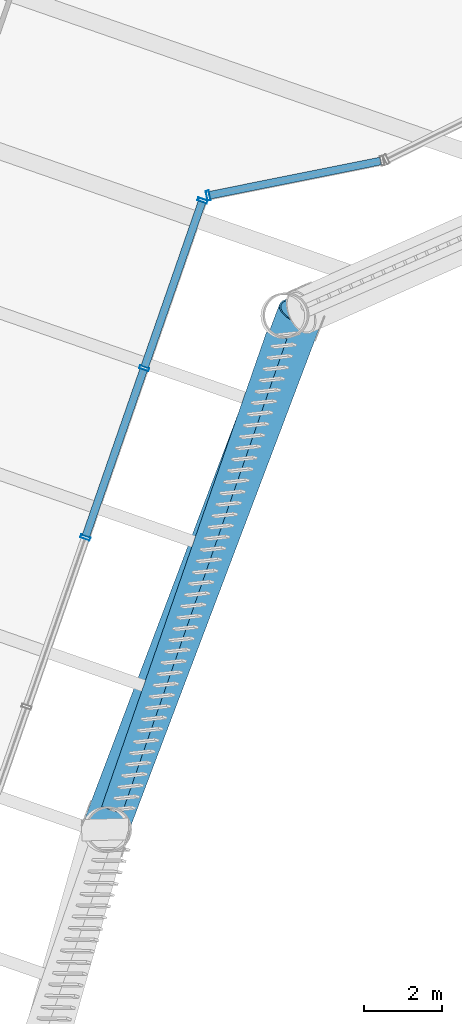
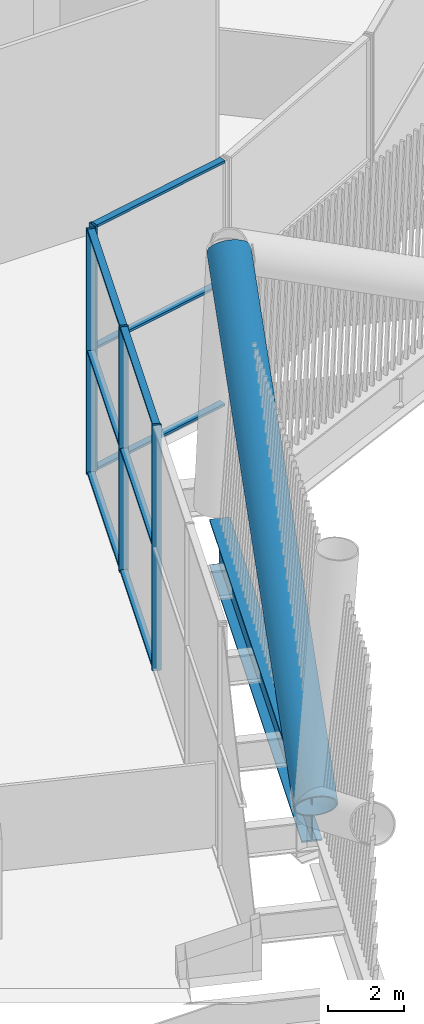
# One storey, part 9 of 63: 14 members, 1 beam, 2 elements without a shape of their own.
"""IFC4 building model written with IfcOpenShell, lengths in metres."""

from ifc_helpers import new_model, si_unit, direction, frame, origin, origin_2d, place, context, subcontext, project, spatial, hollow_rectangle, hollow_circle, i_section, extrude, material, layer, layer_set, material_profile, profile_set, type_object, element, aggregate, save


model = new_model("IFC4")

# Units and contexts
model_context = context("Model", 3, precision=1e-05, world=origin(), true_north=direction((0.0, 1.0)))
body_context = subcontext(model_context, "Body", "Model", "MODEL_VIEW")
ifc_project = project(units=[si_unit("LENGTHUNIT", "METRE"), si_unit("AREAUNIT", "SQUARE_METRE"), si_unit("VOLUMEUNIT", "CUBIC_METRE"), si_unit("PLANEANGLEUNIT", "RADIAN"), si_unit("MASSUNIT", "GRAM", prefix="KILO")], contexts=[model_context])

# Site, building, storey
site_placement = place(None, origin())
site = spatial("IfcSite", under=ifc_project, at=site_placement, CompositionType="ELEMENT")
building_placement = place(site_placement, origin())
building = spatial("IfcBuilding", under=site, at=building_placement, Name="Tarsis Ring Headquarters", CompositionType="ELEMENT")
storey_placement = place(building_placement, frame((0.0, 0.0, 139.60009765625)))
storey = spatial("IfcBuildingStorey", under=building, at=storey_placement, Name="L32", CompositionType="ELEMENT", Elevation=139.60009765625)

# Curtain wall, members
ifc_material_1 = material(Name="Aluminium curtain wall", Category="aluminium")
ifc_layer = layer(ifc_material_1, 0.25)
ifc_layer_set = layer_set([ifc_layer], Name="Curtain wall sky lobby")
curtain_wall_type = type_object("IfcCurtainWallType", Name="Curtain wall sky lobby", PredefinedType="NOTDEFINED", material=ifc_layer_set)
curtain_wall_1_placement = place(storey_placement, origin())
curtain_wall_1 = element("IfcCurtainWall", 1, at=curtain_wall_1_placement, inside=storey, type_object=curtain_wall_type, Name="Curtain wall L32-16", PredefinedType="NOTDEFINED")
ifc_material_2 = material(Name="Aluminium mullion", Category="aluminium")
ifc_material_profile_1 = material_profile(ifc_material_2, hollow_rectangle(XDim=0.25, YDim=0.080078125, WallThickness=0.0048828125, at=origin_2d()), Name="RHS 250x80x5")
ifc_profile_set_1 = profile_set([ifc_material_profile_1], Name="Aluminium mullion")
member_type_1 = type_object("IfcMemberType", Name="Curtain wall mullion sky lobby RHS 250x80x5", PredefinedType="MULLION", material=ifc_profile_set_1)
member_1_placement = place(storey_placement, frame((0.71142578125, -34.133544921875, 0.0), z_axis=(0.0, 0.0, 1.0), x_axis=(-0.944605723576, 0.32820729271, 0.0)))
member_1 = element("IfcMember", 2, at=member_1_placement, type_object=member_type_1, Name="CW-S mullion 4", PredefinedType="MULLION", context=body_context, shape_type="SweptSolid", body=[
    extrude(hollow_rectangle(XDim=0.25, YDim=0.080078125, WallThickness=0.0048828125, at=origin_2d()), origin(), (0.0, 0.0, 1.0), 7.83984375),
])
member_2_placement = place(storey_placement, frame((2.21484375, -29.80712890625, 0.0), z_axis=(0.0, 0.0, 1.0), x_axis=(-0.944605723576, 0.32820729271, 0.0)))
member_2 = element("IfcMember", 3, at=member_2_placement, type_object=member_type_1, Name="CW-S mullion 5", PredefinedType="MULLION", context=body_context, shape_type="SweptSolid", body=[
    extrude(hollow_rectangle(XDim=0.25, YDim=0.080078125, WallThickness=0.0048828125, at=origin_2d()), origin(), (0.0, 0.0, 1.0), 7.83984375),
])
member_3_placement = place(storey_placement, frame((3.704833984375, -25.518310546875, 0.0), z_axis=(0.0, 0.0, 1.0), x_axis=(-0.944605723576, 0.32820729271, 0.0)))
member_3 = element("IfcMember", 4, at=member_3_placement, type_object=member_type_1, Name="CW-S mullion 6", PredefinedType="MULLION", context=body_context, shape_type="SweptSolid", body=[
    extrude(hollow_rectangle(XDim=0.25, YDim=0.080078125, WallThickness=0.0048828125, at=origin_2d()), origin(), (0.0, 0.0, 1.0), 7.83984375),
])

# Curtain wall, member
curtain_wall_2_placement = place(storey_placement, origin())
curtain_wall_2 = element("IfcCurtainWall", 5, at=curtain_wall_2_placement, inside=storey, type_object=curtain_wall_type, Name="Curtain wall L32-17", PredefinedType="NOTDEFINED")
member_4_placement = place(storey_placement, frame((3.850830078125, -25.39111328125, 0.0), z_axis=(0.0, 0.0, 1.0), x_axis=(-0.19663067112, 0.980477628085, 0.0)))
member_4 = element("IfcMember", 6, at=member_4_placement, type_object=member_type_1, Name="CW-S mullion 1", PredefinedType="MULLION", context=body_context, shape_type="SweptSolid", body=[
    extrude(hollow_rectangle(XDim=0.25, YDim=0.080078125, WallThickness=0.0048828125, at=origin_2d()), origin(), (0.0, 0.0, 1.0), 7.83984375),
])

# Member
ifc_material_3 = material(Name="Aluminium transom", Category="aluminium")
ifc_material_profile_2 = material_profile(ifc_material_3, hollow_rectangle(XDim=0.199951171875, YDim=0.080078125, WallThickness=0.0048828125, at=origin_2d()), Name="RHS 200x80x5")
ifc_profile_set_2 = profile_set([ifc_material_profile_2], Name="Aluminium transom")
member_type_2 = type_object("IfcMemberType", Name="Curtain wall transom sky lobby RHS 200x80x5", PredefinedType="USERDEFINED", material=ifc_profile_set_2)
member_5_placement = place(storey_placement, frame((0.724609375, -34.095703125, 0.039794921875), z_axis=(0.328213403514, 0.944603600329, 0.0), x_axis=(-0.944603600329, 0.328213403514, 0.0)))
member_5 = element("IfcMember", 7, at=member_5_placement, type_object=member_type_2, Name="CW-S transom 4.1", ObjectType="TRANSOM", PredefinedType="USERDEFINED", context=body_context, shape_type="SweptSolid", body=[
    extrude(hollow_rectangle(XDim=0.199951171875, YDim=0.080078125, WallThickness=0.0048828125, at=origin_2d()), origin(), (0.0, 0.0, 1.0), 4.500244140625),
])

member_6_placement = place(storey_placement, frame((0.724609375, -34.095703125, 3.919921875), z_axis=(0.328213403514, 0.944603600329, 0.0), x_axis=(-0.944603600329, 0.328213403514, 0.0)))
member_6 = element("IfcMember", 8, at=member_6_placement, type_object=member_type_2, Name="CW-S transom 4.2", ObjectType="TRANSOM", PredefinedType="USERDEFINED", context=body_context, shape_type="SweptSolid", body=[
    extrude(hollow_rectangle(XDim=0.199951171875, YDim=0.080078125, WallThickness=0.0048828125, at=origin_2d()), origin(), (0.0, 0.0, 1.0), 4.500244140625),
])

member_7_placement = place(storey_placement, frame((0.724609375, -34.095703125, 7.7998046875), z_axis=(0.328213403514, 0.944603600329, 0.0), x_axis=(-0.944603600329, 0.328213403514, 0.0)))
member_7 = element("IfcMember", 9, at=member_7_placement, type_object=member_type_2, Name="CW-S transom 4.3", ObjectType="TRANSOM", PredefinedType="USERDEFINED", context=body_context, shape_type="SweptSolid", body=[
    extrude(hollow_rectangle(XDim=0.199951171875, YDim=0.080078125, WallThickness=0.0048828125, at=origin_2d()), origin(), (0.0, 0.0, 1.0), 4.500244140625),
])

member_8_placement = place(storey_placement, frame((2.22802734375, -29.769287109375, 0.039794921875), z_axis=(0.328206396565, 0.944606034945, 0.0), x_axis=(-0.944606034945, 0.328206396565, 0.0)))
member_8 = element("IfcMember", 10, at=member_8_placement, type_object=member_type_2, Name="CW-S transom 5.1", ObjectType="TRANSOM", PredefinedType="USERDEFINED", context=body_context, shape_type="SweptSolid", body=[
    extrude(hollow_rectangle(XDim=0.199951171875, YDim=0.080078125, WallThickness=0.0048828125, at=origin_2d()), origin(), (0.0, 0.0, 1.0), 4.460205078125),
])

member_9_placement = place(storey_placement, frame((2.22802734375, -29.769287109375, 3.919921875), z_axis=(0.328206396565, 0.944606034945, 0.0), x_axis=(-0.944606034945, 0.328206396565, 0.0)))
member_9 = element("IfcMember", 11, at=member_9_placement, type_object=member_type_2, Name="CW-S transom 5.2", ObjectType="TRANSOM", PredefinedType="USERDEFINED", context=body_context, shape_type="SweptSolid", body=[
    extrude(hollow_rectangle(XDim=0.199951171875, YDim=0.080078125, WallThickness=0.0048828125, at=origin_2d()), origin(), (0.0, 0.0, 1.0), 4.460205078125),
])

member_10_placement = place(storey_placement, frame((2.22802734375, -29.769287109375, 7.7998046875), z_axis=(0.328206396565, 0.944606034945, 0.0), x_axis=(-0.944606034945, 0.328206396565, 0.0)))
member_10 = element("IfcMember", 12, at=member_10_placement, type_object=member_type_2, Name="CW-S transom 5.3", ObjectType="TRANSOM", PredefinedType="USERDEFINED", context=body_context, shape_type="SweptSolid", body=[
    extrude(hollow_rectangle(XDim=0.199951171875, YDim=0.080078125, WallThickness=0.0048828125, at=origin_2d()), origin(), (0.0, 0.0, 1.0), 4.460205078125),
])

aggregate(curtain_wall_1, [member_1, member_2, member_3, member_5, member_6, member_7, member_8, member_9, member_10])

member_11_placement = place(storey_placement, frame((3.89013671875, -25.38330078125, 0.039794921875), z_axis=(0.980468872957, 0.196674322578, 0.0), x_axis=(-0.196674322578, 0.980468872957, 0.0)))
member_11 = element("IfcMember", 13, at=member_11_placement, type_object=member_type_2, Name="CW-S transom 1.1", ObjectType="TRANSOM", PredefinedType="USERDEFINED", context=body_context, shape_type="SweptSolid", body=[
    extrude(hollow_rectangle(XDim=0.199951171875, YDim=0.080078125, WallThickness=0.0048828125, at=origin_2d()), origin(), (0.0, 0.0, 1.0), 4.457763671875),
])

member_12_placement = place(storey_placement, frame((3.89013671875, -25.38330078125, 3.919921875), z_axis=(0.980468872957, 0.196674322578, 0.0), x_axis=(-0.196674322578, 0.980468872957, 0.0)))
member_12 = element("IfcMember", 14, at=member_12_placement, type_object=member_type_2, Name="CW-S transom 1.2", ObjectType="TRANSOM", PredefinedType="USERDEFINED", context=body_context, shape_type="SweptSolid", body=[
    extrude(hollow_rectangle(XDim=0.199951171875, YDim=0.080078125, WallThickness=0.0048828125, at=origin_2d()), origin(), (0.0, 0.0, 1.0), 4.457763671875),
])

member_13_placement = place(storey_placement, frame((3.89013671875, -25.38330078125, 7.7998046875), z_axis=(0.980468872957, 0.196674322578, 0.0), x_axis=(-0.196674322578, 0.980468872957, 0.0)))
member_13 = element("IfcMember", 15, at=member_13_placement, type_object=member_type_2, Name="CW-S transom 1.3", ObjectType="TRANSOM", PredefinedType="USERDEFINED", context=body_context, shape_type="SweptSolid", body=[
    extrude(hollow_rectangle(XDim=0.199951171875, YDim=0.080078125, WallThickness=0.0048828125, at=origin_2d()), origin(), (0.0, 0.0, 1.0), 4.457763671875),
])

aggregate(curtain_wall_2, [member_4, member_11, member_12, member_13])

ifc_material_4 = material(Name="Structural steel S355", Category="steel")
ifc_material_profile_3 = material_profile(ifc_material_4, hollow_circle(Radius=0.584228515625, WallThickness=0.044921875, at=origin_2d()), Name="CHS 1168x45")
ifc_profile_set_3 = profile_set([ifc_material_profile_3], Name="Structural steel S355")
member_type_3 = type_object("IfcMemberType", Name="TD Belt truss diagonal CHS 1168x45", PredefinedType="BRACE", material=ifc_profile_set_3)
member_14_placement = place(storey_placement, frame((1.213623046875, -41.6005859375, 0.0), z_axis=(0.308279381941, 0.81398497885, 0.492333501679), x_axis=(-0.935177811386, 0.35417857232, 0.0)))
element("IfcMember", 16, at=member_14_placement, inside=storey, type_object=member_type_3, Name="Belt truss diagonal TD3", PredefinedType="BRACE", context=body_context, shape_type="SweptSolid", body=[
    extrude(hollow_circle(Radius=0.584228515625, WallThickness=0.044921875, at=origin_2d()), origin(), (0.0, 0.0, 1.0), 16.249267578125),
])

# Beam
ifc_material_profile_4 = material_profile(ifc_material_4, i_section(OverallWidth=0.550048828125, OverallDepth=1.5, WebThickness=0.030029296875, FlangeThickness=0.050048828125, at=origin_2d()), Name="PG 1500x550x30x50")
ifc_profile_set_4 = profile_set([ifc_material_profile_4], Name="Structural steel S355")
beam_type = type_object("IfcBeamType", Name="XG Ring girder PG 1500x550x30x50", PredefinedType="BEAM", material=ifc_profile_set_4)
beam_placement = place(storey_placement, frame((1.38623046875, -41.103759765625, -0.75), z_axis=(0.328217017414, 0.94460234463, 0.0), x_axis=(-0.94460234463, 0.328217017414, 0.0)))
element("IfcBeam", 17, at=beam_placement, inside=storey, type_object=beam_type, Name="Ring girder XG6", PredefinedType="BEAM", context=body_context, shape_type="SweptSolid", body=[
    extrude(i_section(OverallWidth=0.550048828125, OverallDepth=1.5, WebThickness=0.030029296875, FlangeThickness=0.050048828125, at=origin_2d()), origin(), (0.0, 0.0, 1.0), 12.8505859375),
])

save(model, "model.ifc")
